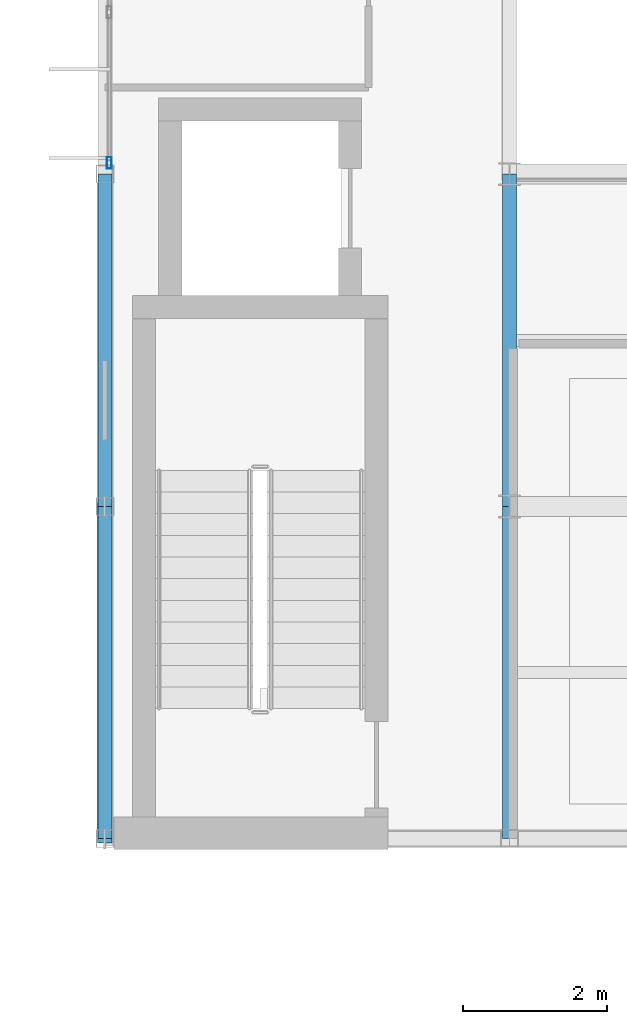
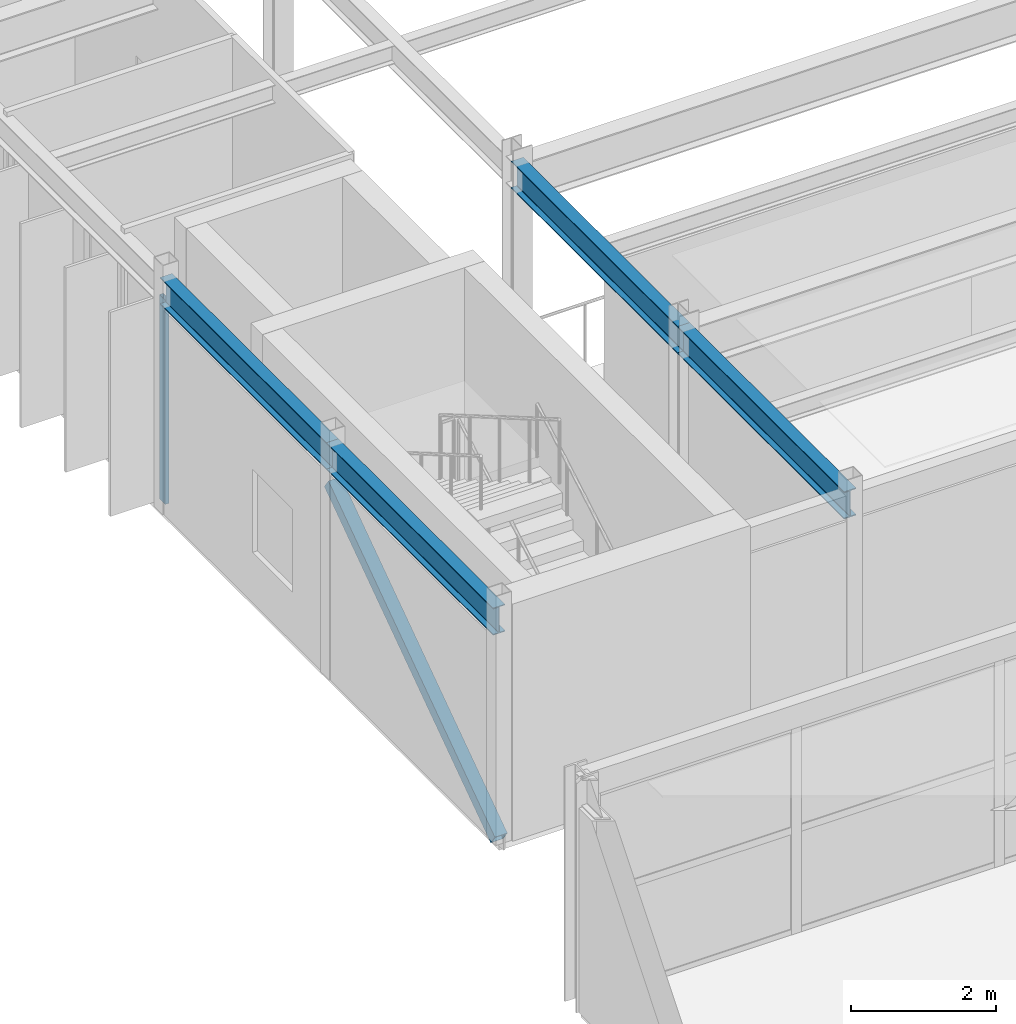
# One storey, part 32 of 147: 4 beams, 2 members, 1 element without a shape of its own.
"""IFC4 building model written with IfcOpenShell, lengths in metres."""

from ifc_helpers import new_model, si_unit, direction, frame, origin, origin_2d, place, context, subcontext, project, spatial, hollow_rectangle, i_section, extrude, material, material_profile, profile_set, type_object, element, aggregate, save


model = new_model("IFC4")

# Units and contexts
model_context = context("Model", 3, precision=1e-05, world=origin(), true_north=direction((0.0, 1.0)))
body_context = subcontext(model_context, "Body", "Model", "MODEL_VIEW")
ifc_project = project(units=[si_unit("LENGTHUNIT", "METRE"), si_unit("AREAUNIT", "SQUARE_METRE"), si_unit("VOLUMEUNIT", "CUBIC_METRE"), si_unit("PLANEANGLEUNIT", "RADIAN"), si_unit("MASSUNIT", "GRAM", prefix="KILO")], contexts=[model_context])

# Site, building, storey
site_placement = place(None, origin())
site = spatial("IfcSite", under=ifc_project, at=site_placement, CompositionType="ELEMENT")
building_placement = place(site_placement, origin())
building = spatial("IfcBuilding", under=site, at=building_placement, Name="Karori Crest Natural Sciences Institute", CompositionType="ELEMENT")
storey_placement = place(building_placement, frame((0.0, 0.0, 9.10009765625)))
storey = spatial("IfcBuildingStorey", under=building, at=storey_placement, Name="L02", CompositionType="ELEMENT", Elevation=9.10009765625)

# Beams
ifc_material_1 = material(Name="Structural steel AS/NZS 3679.1 Grade 350", Category="steel")
ifc_material_profile_1 = material_profile(ifc_material_1, i_section(OverallWidth=0.19091796875, OverallDepth=0.4599609375, WebThickness=0.010009765625, FlangeThickness=0.01611328125, FilletRadius=0.010986328125, at=origin_2d()), Name="460UB82.1")
ifc_profile_set_1 = profile_set([ifc_material_profile_1], Name="Structural steel AS/NZS 3679.1 Grade 350")
beam_type_1 = type_object("IfcBeamType", Name="BT-06", PredefinedType="BEAM", material=ifc_profile_set_1)
beam_1_placement = place(storey_placement, frame((7.39990234375, 31.199951171875, 3.68994140625), z_axis=(0.0, 1.0, 0.0), x_axis=(-1.0, 0.0, 0.0)))
element("IfcBeam", 1, at=beam_1_placement, inside=storey, type_object=beam_type_1, Name="Beam B-1103", PredefinedType="BEAM", context=body_context, shape_type="SweptSolid", body=[
    extrude(i_section(OverallWidth=0.19091796875, OverallDepth=0.4599609375, WebThickness=0.010009765625, FlangeThickness=0.01611328125, FilletRadius=0.010986328125, at=origin_2d()), origin(), (0.0, 0.0, 1.0), 4.60009765625),
])
beam_2_placement = place(storey_placement, frame((7.39990234375, 35.800048828125, 3.68994140625), z_axis=(0.0, 1.0, 0.0), x_axis=(-1.0, 0.0, 0.0)))
element("IfcBeam", 2, at=beam_2_placement, inside=storey, type_object=beam_type_1, Name="Beam B-1104", PredefinedType="BEAM", context=body_context, shape_type="SweptSolid", body=[
    extrude(i_section(OverallWidth=0.19091796875, OverallDepth=0.4599609375, WebThickness=0.010009765625, FlangeThickness=0.01611328125, FilletRadius=0.010986328125, at=origin_2d()), origin(), (0.0, 0.0, 1.0), 4.599853515625),
])
ifc_material_profile_2 = material_profile(ifc_material_1, i_section(OverallWidth=0.19091796875, OverallDepth=0.4599609375, WebThickness=0.010009765625, FlangeThickness=0.01611328125, FilletRadius=0.010986328125, at=origin_2d()), Name="460UB82.1")
ifc_profile_set_2 = profile_set([ifc_material_profile_2], Name="Structural steel AS/NZS 3679.1 Grade 350")
beam_type_2 = type_object("IfcBeamType", Name="BT-06-EL", PredefinedType="BEAM", material=ifc_profile_set_2)
beam_3_placement = place(storey_placement, frame((1.800048828125, 31.199951171875, 3.68994140625), z_axis=(0.0, 1.0, 0.0), x_axis=(-1.0, 0.0, 0.0)))
element("IfcBeam", 3, at=beam_3_placement, inside=storey, type_object=beam_type_2, Name="Beam B-1096", PredefinedType="BEAM", context=body_context, shape_type="SweptSolid", body=[
    extrude(i_section(OverallWidth=0.19091796875, OverallDepth=0.4599609375, WebThickness=0.010009765625, FlangeThickness=0.01611328125, FilletRadius=0.010986328125, at=origin_2d()), origin(), (0.0, 0.0, 1.0), 4.60009765625),
])
beam_4_placement = place(storey_placement, frame((1.800048828125, 35.800048828125, 3.68994140625), z_axis=(0.0, 1.0, 0.0), x_axis=(-1.0, 0.0, 0.0)))
element("IfcBeam", 4, at=beam_4_placement, inside=storey, type_object=beam_type_2, Name="Beam B-1097", PredefinedType="BEAM", context=body_context, shape_type="SweptSolid", body=[
    extrude(i_section(OverallWidth=0.19091796875, OverallDepth=0.4599609375, WebThickness=0.010009765625, FlangeThickness=0.01611328125, FilletRadius=0.010986328125, at=origin_2d()), origin(), (0.0, 0.0, 1.0), 4.599853515625),
])

# Curtain wall, member
ifc_material_2 = material(Name="Anodised architectural aluminium 6063-T6", Category="aluminium")
curtain_wall_type = type_object("IfcCurtainWallType", Name="CWT-17", PredefinedType="NOTDEFINED", material=ifc_material_2)
curtain_wall_placement = place(storey_placement, origin())
curtain_wall = element("IfcCurtainWall", 5, at=curtain_wall_placement, inside=storey, type_object=curtain_wall_type, Name="Curtain wall CW-0270", PredefinedType="NOTDEFINED")
ifc_material_profile_3 = material_profile(ifc_material_2, hollow_rectangle(XDim=0.06494140625, YDim=0.159912109375, WallThickness=0.00390625, at=origin_2d()), Name="CWM160x65x4")
ifc_profile_set_3 = profile_set([ifc_material_profile_3], Name="Anodised architectural aluminium 6063-T6")
member_type_1 = type_object("IfcMemberType", Name="CWM-01", PredefinedType="MULLION", material=ifc_profile_set_3)
member_1_placement = place(storey_placement, frame((1.860107421875, 40.555419921875, 0.0), z_axis=(0.0, 0.0, 1.0), x_axis=(-1.0, 0.0, 0.0)))
member_1 = element("IfcMember", 6, at=member_1_placement, type_object=member_type_1, Name="CW-0270 mullion 1", PredefinedType="MULLION", context=body_context, shape_type="SweptSolid", body=[
    extrude(hollow_rectangle(XDim=0.06494140625, YDim=0.159912109375, WallThickness=0.00390625, at=origin_2d()), origin(), (0.0, 0.0, 1.0), 3.44482421875),
])
aggregate(curtain_wall, [member_1])

# Member
ifc_material_3 = material(Name="Hollow structural steel AS/NZS 1163 Grade C350", Category="steel")
ifc_material_profile_4 = material_profile(ifc_material_3, hollow_rectangle(XDim=0.199951171875, YDim=0.199951171875, WallThickness=0.010009765625, at=origin_2d()), Name="SHS200x200x10")
ifc_profile_set_4 = profile_set([ifc_material_profile_4], Name="Hollow structural steel AS/NZS 1163 Grade C350")
member_type_2 = type_object("IfcMemberType", Name="MT-04", PredefinedType="BRACE", material=ifc_profile_set_4)
member_2_placement = place(storey_placement, frame((1.800048828125, 31.199951171875, 0.010009765625), z_axis=(0.0, 0.819240091074, 0.573450671965), x_axis=(-1.0, 0.0, 0.0)))
element("IfcMember", 7, at=member_2_placement, inside=storey, type_object=member_type_2, Name="Diagonal Brace M-0255", PredefinedType="BRACE", context=body_context, shape_type="SweptSolid", body=[
    extrude(hollow_rectangle(XDim=0.199951171875, YDim=0.199951171875, WallThickness=0.010009765625, at=origin_2d()), origin(), (0.0, 0.0, 1.0), 5.614990234375),
])

save(model, "model.ifc")
